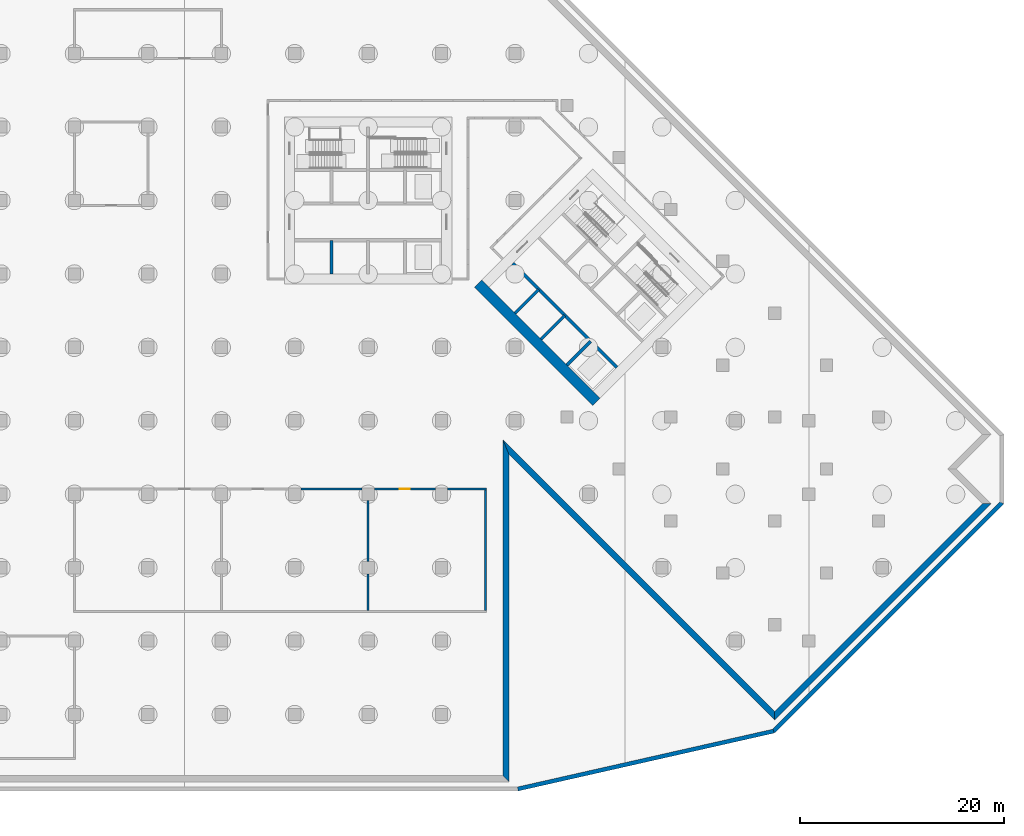
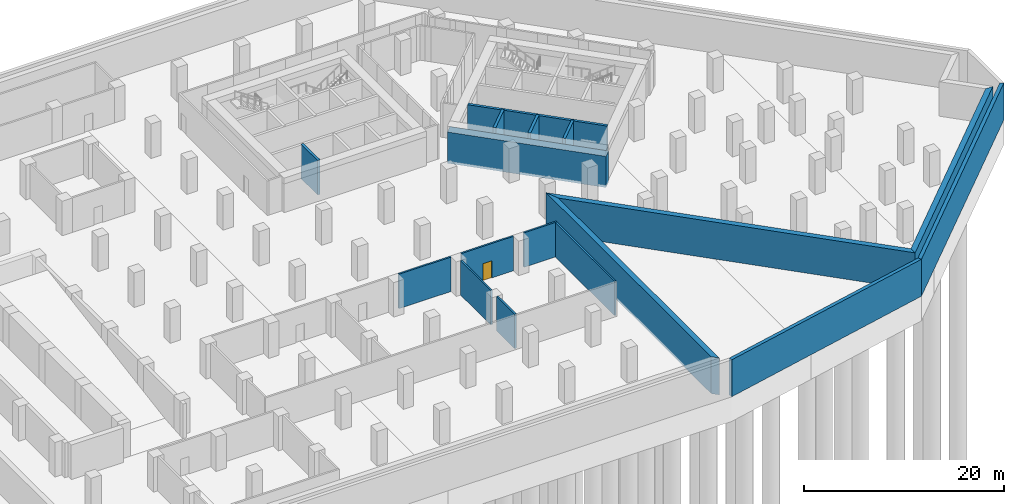
# One storey, part 5 of 12: 17 walls, 1 door, 1 opening.
"""IFC4 building model written with IfcOpenShell, lengths in metres."""

from ifc_helpers import new_model, si_unit, direction, frame, frame_2d, origin, place, context, subcontext, project, spatial, polyline, rectangle, outline, extrude, material, layer, layer_set, type_object, element, fill, save


model = new_model("IFC4")

# Units and contexts
model_context = context("Model", 3, precision=1e-05, world=origin(), true_north=direction((0.0, 1.0)))
body_context = subcontext(model_context, "Body", "Model", "MODEL_VIEW")
ifc_project = project(units=[si_unit("LENGTHUNIT", "METRE"), si_unit("AREAUNIT", "SQUARE_METRE"), si_unit("VOLUMEUNIT", "CUBIC_METRE"), si_unit("PLANEANGLEUNIT", "RADIAN"), si_unit("MASSUNIT", "GRAM", prefix="KILO")], contexts=[model_context])

# Site, building, storey
site_placement = place(None, origin())
site = spatial("IfcSite", under=ifc_project, at=site_placement, CompositionType="ELEMENT")
building_placement = place(site_placement, origin())
building = spatial("IfcBuilding", under=site, at=building_placement, Name="Windrow Commons", CompositionType="ELEMENT")
storey_placement = place(building_placement, frame((0.0, 0.0, -9.0)))
storey = spatial("IfcBuildingStorey", under=building, at=storey_placement, Name="B2", CompositionType="ELEMENT", Elevation=-9.0)

# Walls
ifc_material_1 = material(Name="Blockwork partition", Category="masonry")
ifc_layer_1 = layer(ifc_material_1, 0.2)
ifc_layer_set_1 = layer_set([ifc_layer_1], Name="CP-PART-200")
wall_type_1 = type_object("IfcWallType", Name="CP-PART-200", PredefinedType="PARTITIONING", material=ifc_layer_set_1)
wall_1_placement = place(storey_placement, frame((64.8, 17.4, 0.0), z_axis=(0.0, 0.0, 1.0), x_axis=(0.0, 1.0, 0.0)))
element("IfcWall", 1, at=wall_1_placement, inside=storey, type_object=wall_type_1, Name="Plant room wall 13", PredefinedType="PARTITIONING", context=body_context, shape_type="SweptSolid", body=[
    extrude(rectangle(XDim=3.6, YDim=0.2, at=frame_2d((1.8, 0.0))), origin(), (0.0, 0.0, 1.0), 4.2),
])
wall_2_placement = place(storey_placement, frame((64.8, 22.2, 0.0), z_axis=(0.0, 0.0, 1.0), x_axis=(0.0, 1.0, 0.0)))
element("IfcWall", 2, at=wall_2_placement, inside=storey, type_object=wall_type_1, Name="Plant room wall 14", PredefinedType="PARTITIONING", context=body_context, shape_type="SweptSolid", body=[
    extrude(rectangle(XDim=6.0, YDim=0.2, at=frame_2d((3.0, 0.0))), origin(), (0.0, 0.0, 1.0), 4.2),
])
wall_3_placement = place(storey_placement, frame((76.3, 17.4, 0.0), z_axis=(0.0, 0.0, 1.0), x_axis=(0.0, 1.0, 0.0)))
element("IfcWall", 3, at=wall_3_placement, inside=storey, type_object=wall_type_1, Name="Plant room wall 15", PredefinedType="PARTITIONING", context=body_context, shape_type="SweptSolid", body=[
    extrude(rectangle(XDim=11.8, YDim=0.2, at=frame_2d((5.9, 0.0))), origin(), (0.0, 0.0, 1.0), 4.2),
])
wall_4_placement = place(storey_placement, frame((58.2, 29.3, 0.0), z_axis=(0.0, 0.0, 1.0), x_axis=(1.0, 0.0, 0.0)))
element("IfcWall", 4, at=wall_4_placement, inside=storey, type_object=wall_type_1, Name="Plant room wall 23", PredefinedType="PARTITIONING", context=body_context, shape_type="SweptSolid", body=[
    extrude(rectangle(XDim=6.0, YDim=0.2, at=frame_2d((3.0, 0.0))), origin(), (0.0, 0.0, 1.0), 4.2),
])

# Wall, opening, door
wall_5_placement = place(storey_placement, frame((65.4, 29.3, 0.0), z_axis=(0.0, 0.0, 1.0), x_axis=(1.0, 0.0, 0.0)))
wall_5 = element("IfcWall", 5, at=wall_5_placement, inside=storey, type_object=wall_type_1, Name="Plant room wall 24", PredefinedType="PARTITIONING", context=body_context, shape_type="SweptSolid", body=[
    extrude(rectangle(XDim=6.0, YDim=0.2, at=frame_2d((3.0, 0.0))), origin(), (0.0, 0.0, 1.0), 4.2),
])
opening_placement = place(wall_5_placement, frame((2.5, 0.0, 0.0)))
opening = element("IfcOpeningElement", 6, at=opening_placement, cuts=wall_5, Name="Opening B2-D54", PredefinedType="OPENING", context=body_context, shape_type="SweptSolid", body=[
    extrude(rectangle(XDim=1.0, YDim=2.1, at=frame_2d((0.5, 1.05))), frame((0.0, 0.11, 0.0), z_axis=(0.0, -1.0, 0.0), x_axis=(1.0, 0.0, 0.0)), (0.0, 0.0, 1.0), 0.22),
])
ifc_material_2 = material(Name="Steel fire door leaf", Category="steel")
door_type = type_object("IfcDoorType", Name="CP-DOOR-1000", OperationType="SINGLE_SWING_LEFT", PredefinedType="DOOR", material=ifc_material_2)
door_placement = place(opening_placement, origin())
door = element("IfcDoor", 7, at=door_placement, inside=storey, type_object=door_type, Name="D-B2-PLANT-04", OperationType="SINGLE_SWING_LEFT", OverallHeight=2.1, OverallWidth=1.0, PredefinedType="DOOR", context=body_context, shape_type="SweptSolid", body=[
    extrude(rectangle(XDim=1.0, YDim=2.1, at=frame_2d((0.5, 1.05))), frame((0.0, 0.025, 0.0), z_axis=(0.0, -1.0, 0.0), x_axis=(1.0, 0.0, 0.0)), (0.0, 0.0, 1.0), 0.05),
])
fill(opening, door)

# Walls
wall_6_placement = place(storey_placement, frame((72.6, 29.3, 0.0), z_axis=(0.0, 0.0, 1.0), x_axis=(1.0, 0.0, 0.0)))
element("IfcWall", 8, at=wall_6_placement, inside=storey, type_object=wall_type_1, Name="Plant room wall 25", PredefinedType="PARTITIONING", context=body_context, shape_type="SweptSolid", body=[
    extrude(rectangle(XDim=3.8, YDim=0.2, at=frame_2d((1.9, 0.0))), origin(), (0.0, 0.0, 1.0), 4.2),
])
ifc_material_3 = material(Name="Concrete C60/75", Category="concrete")
ifc_layer_2 = layer(ifc_material_3, 1.0)
ifc_layer_set_2 = layer_set([ifc_layer_2], Name="RC CORE WALL 1000 C60/75")
wall_type_2 = type_object("IfcWallType", Name="RC CORE WALL 1000 C60/75", PredefinedType="SHEAR", material=ifc_layer_set_2)
wall_7_placement = place(storey_placement, frame((75.5938, 49.4433, -0.3), z_axis=(0.0, 0.0, 1.0), x_axis=(0.7071037324, -0.70710983, 0.0)))
element("IfcWall", 9, at=wall_7_placement, inside=storey, type_object=wall_type_2, Name="Core B wall outer-S", PredefinedType="SHEAR", context=body_context, shape_type="SweptSolid", body=[
    extrude(rectangle(XDim=16.4, YDim=1.0, at=frame_2d((8.2, 0.0))), origin(), (0.0, 0.0, 1.0), 3.8),
])
ifc_material_4 = material(Name="Concrete C40/50", Category="concrete")
ifc_layer_3 = layer(ifc_material_4, 0.4)
ifc_layer_set_3 = layer_set([ifc_layer_3], Name="RC RETAINING WALL 400 C40/50")
wall_type_3 = type_object("IfcWallType", Name="RC RETAINING WALL 400 C40/50", PredefinedType="SOLIDWALL", material=ifc_layer_set_3)
wall_8_placement = place(storey_placement, frame((126.9418, 27.9594, -0.3), z_axis=(0.0, 0.0, 1.0), x_axis=(-0.7071067812, -0.7071067812, 0.0)))
element("IfcWall", 10, at=wall_8_placement, inside=storey, type_object=wall_type_3, Name="Retaining wall raft edge B2-008", PredefinedType="SOLIDWALL", context=body_context, shape_type="SweptSolid", body=[
    extrude(outline(polyline([(0.0414, -0.2), (31.6304, -0.2), (31.6882, 0.2), (-0.0414, 0.2), (0.0414, -0.2)])), origin(), (0.0, 0.0, 1.0), 4.5),
])
wall_9_placement = place(storey_placement, frame((104.5553, 5.5729, -0.3), z_axis=(0.0, 0.0, 1.0), x_axis=(-0.9753555595, -0.2206389189, 0.0)))
element("IfcWall", 11, at=wall_9_placement, inside=storey, type_object=wall_type_3, Name="Retaining wall raft edge B2-009", PredefinedType="SOLIDWALL", context=body_context, shape_type="SweptSolid", body=[
    extrude(outline(polyline([(0.0289, -0.2), (25.7001, -0.2), (25.7224, 0.2), (-0.0289, 0.2), (0.0289, -0.2)])), origin(), (0.0, 0.0, 1.0), 4.5),
])
ifc_material_5 = material(Name="Concrete C40/50", Category="concrete")
ifc_layer_4 = layer(ifc_material_5, 0.6)
ifc_layer_set_4 = layer_set([ifc_layer_4], Name="RC RETAINING WALL 600 C40/50")
wall_type_4 = type_object("IfcWallType", Name="RC RETAINING WALL 600 C40/50", PredefinedType="SOLIDWALL", material=ifc_layer_set_4)
placement = place(storey_placement, frame((0.0, 0.0, -0.3)))
element("IfcWall", 12, at=placement, inside=storey, type_object=wall_type_4, Name="Retaining wall B2-04", PredefinedType="SOLIDWALL", context=body_context, shape_type="SweptSolid", body=[
    extrude(outline(polyline([(78.0, 1.2), (78.0, 34.1677), (78.6, 32.7192), (78.6, 0.6), (78.0, 1.2)])), origin(), (0.0, 0.0, 1.0), 4.5),
])
element("IfcWall", 13, at=placement, inside=storey, type_object=wall_type_4, Name="Retaining wall B2-05", PredefinedType="SOLIDWALL", context=body_context, shape_type="SweptSolid", body=[
    extrude(outline(polyline([(78.0, 34.1677), (104.6558, 7.5119), (104.6558, 6.6633), (78.6, 32.7192), (78.0, 34.1677)])), origin(), (0.0, 0.0, 1.0), 4.5),
])
element("IfcWall", 14, at=placement, inside=storey, type_object=wall_type_4, Name="Retaining wall B2-06", PredefinedType="SOLIDWALL", context=body_context, shape_type="SweptSolid", body=[
    extrude(outline(polyline([(104.6558, 7.5119), (125.0205, 27.8765), (125.869, 27.8765), (104.6558, 6.6633), (104.6558, 7.5119)])), origin(), (0.0, 0.0, 1.0), 4.5),
])
ifc_material_6 = material(Name="Concrete C60/75", Category="concrete")
ifc_layer_5 = layer(ifc_material_6, 0.3)
ifc_layer_set_5 = layer_set([ifc_layer_5], Name="RC SHAFT WALL 300 C60/75")
wall_type_5 = type_object("IfcWallType", Name="RC SHAFT WALL 300 C60/75", PredefinedType="SOLIDWALL", material=ifc_layer_set_5)
for number, where, z_axis, x_axis, name in (
    (15, (61.2, 50.4, 0.0), (0.0, 0.0, 1.0), (0.0, 1.0, 0.0), "Core A wall shaft-S1"),
    (16, (79.2, 46.5442, 0.0), (0.0, 0.0, 1.0), (0.7071219326, 0.7070916295, 0.0), "Core B wall shaft-S1"),
):
    element("IfcWall", number, at=place(storey_placement, frame(where, z_axis=z_axis, x_axis=x_axis)), inside=storey, type_object=wall_type_5, Name=name, PredefinedType="SOLIDWALL", context=body_context, shape_type="SweptSolid", body=[
        extrude(rectangle(XDim=3.3, YDim=0.3, at=frame_2d((1.65, 0.0))), origin(), (0.0, 0.0, 1.0), 4.2),
    ])
for number, where, z_axis, x_axis, name in (
    (17, (81.7456, 43.9986, 0.0), (0.0, 0.0, 1.0), (0.7071067812, 0.7071067812, 0.0), "Core B wall shaft-S2"),
    (18, (84.2912, 41.453, 0.0), (0.0, 0.0, 1.0), (0.7071067812, 0.7071067812, 0.0), "Core B wall shaft-S3"),
):
    element("IfcWall", number, at=place(storey_placement, frame(where, z_axis=z_axis, x_axis=x_axis)), inside=storey, type_object=wall_type_5, Name=name, PredefinedType="SOLIDWALL", context=body_context, shape_type="SweptSolid", body=[
        extrude(rectangle(XDim=3.2999, YDim=0.3, at=frame_2d((1.65, 0.0))), origin(), (0.0, 0.0, 1.0), 4.2),
    ])
wall_13_placement = place(storey_placement, frame((78.9879, 51.4232, 0.0), z_axis=(0.0, 0.0, 1.0), x_axis=(0.7071067812, -0.7071067812, 0.0)))
element("IfcWall", 19, at=wall_13_placement, inside=storey, type_object=wall_type_5, Name="Core B wall lobby-S", PredefinedType="SOLIDWALL", context=body_context, shape_type="SweptSolid", body=[
    extrude(rectangle(XDim=14.3999, YDim=0.3, at=frame_2d((7.2, 0.0))), origin(), (0.0, 0.0, 1.0), 4.2),
])

save(model, "model.ifc")
